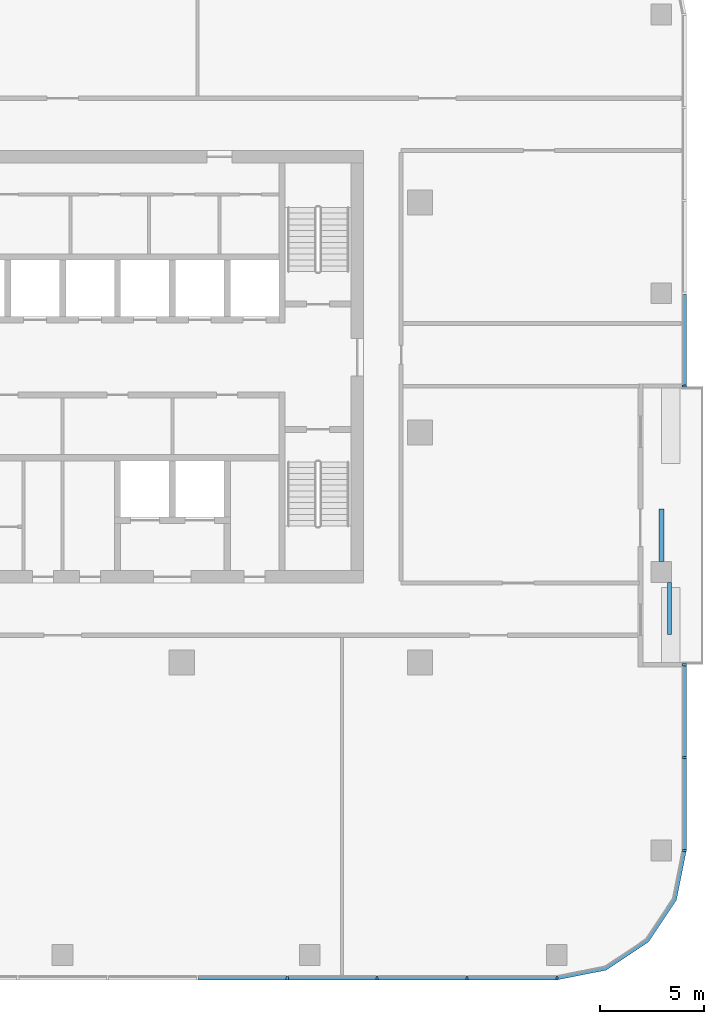
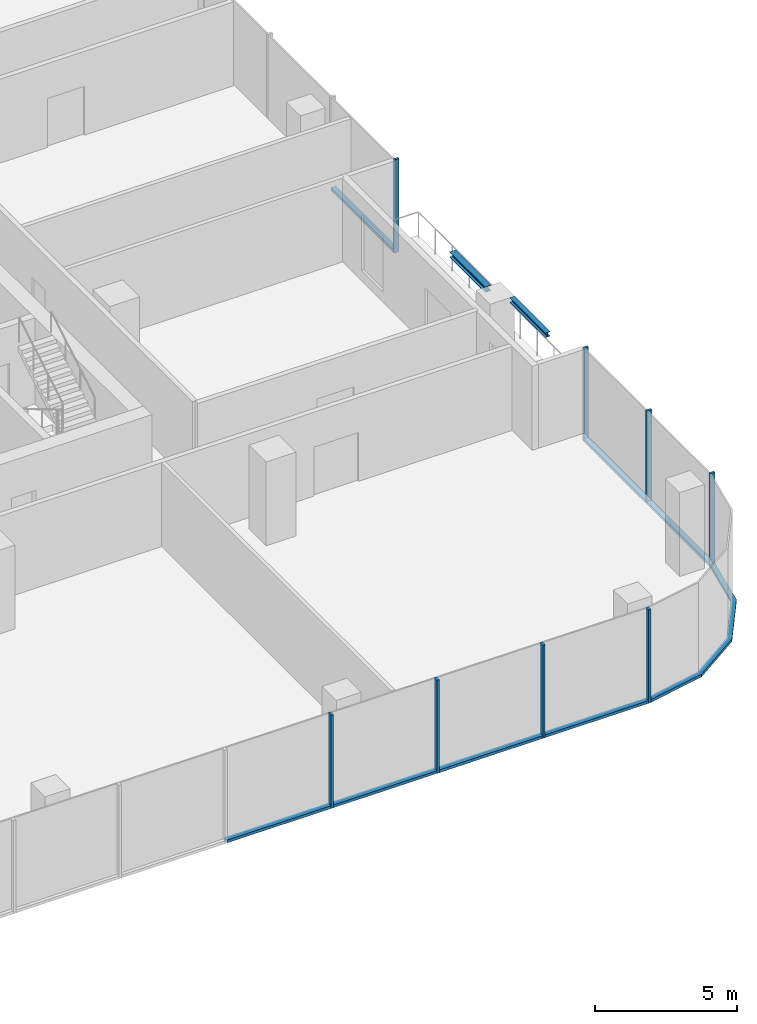
# One storey, part 3 of 13: 16 members, 2 beams, 4 elements without a shape of their own.
"""IFC4 building model written with IfcOpenShell, lengths in metres."""

from ifc_helpers import new_model, si_unit, direction, frame, origin, origin_2d, place, context, subcontext, project, spatial, polyline, rectangle, i_section, outline, extrude, material, material_profile, profile_set, type_object, element, aggregate, save


model = new_model("IFC4")

# Units and contexts
model_context = context("Model", 3, precision=1e-05, world=origin(), true_north=direction((0.0, 1.0)))
body_context = subcontext(model_context, "Body", "Model", "MODEL_VIEW")
ifc_project = project(units=[si_unit("LENGTHUNIT", "METRE"), si_unit("AREAUNIT", "SQUARE_METRE"), si_unit("VOLUMEUNIT", "CUBIC_METRE"), si_unit("PLANEANGLEUNIT", "RADIAN"), si_unit("MASSUNIT", "GRAM", prefix="KILO")], contexts=[model_context])

# Site, building, storey
site_placement = place(None, origin())
site = spatial("IfcSite", under=ifc_project, at=site_placement, CompositionType="ELEMENT")
building_placement = place(site_placement, origin())
building = spatial("IfcBuilding", under=site, at=building_placement, Name="Mopane Tessera Tower", CompositionType="ELEMENT")
storey_placement = place(building_placement, frame((0.0, 0.0, 275.39990234375)))
storey = spatial("IfcBuildingStorey", under=building, at=storey_placement, Name="L59", CompositionType="ELEMENT", Elevation=275.39990234375)

# Curtain wall, members
ifc_material_1 = material(Name="Aluminium frame", Category="aluminium")
curtain_wall_type = type_object("IfcCurtainWallType", Name="Unitised curtain wall", PredefinedType="NOTDEFINED", material=ifc_material_1)
curtain_wall_1_placement = place(storey_placement, origin())
curtain_wall_1 = element("IfcCurtainWall", 1, at=curtain_wall_1_placement, inside=storey, type_object=curtain_wall_type, Name="e:cw:L59:S:0", PredefinedType="NOTDEFINED")
ifc_material_2 = material(Name="Aluminium frame", Category="aluminium")
ifc_material_profile_1 = material_profile(ifc_material_2, rectangle(XDim=0.10009765625, YDim=0.199951171875, at=origin_2d()))
ifc_profile_set_1 = profile_set([ifc_material_profile_1], Name="Aluminium frame")
member_type_1 = type_object("IfcMemberType", Name="Aluminium mullion 100 x 200", PredefinedType="MULLION", material=ifc_profile_set_1)
member_1_placement = place(storey_placement, frame((10.75, -26.10009765625, -0.39990234375), z_axis=(0.0, 0.0, 1.0), x_axis=(1.0, 0.0, 0.0)))
member_1 = element("IfcMember", 2, at=member_1_placement, type_object=member_type_1, Name="e:cw:L59:S:0:mu8", PredefinedType="MULLION", context=body_context, shape_type="SweptSolid", body=[
    extrude(rectangle(XDim=0.10009765625, YDim=0.199951171875, at=origin_2d()), origin(), (0.0, 0.0, 1.0), 4.0),
])
member_2_placement = place(storey_placement, frame((15.050048828125, -26.10009765625, -0.39990234375), z_axis=(0.0, 0.0, 1.0), x_axis=(1.0, 0.0, 0.0)))
member_2 = element("IfcMember", 3, at=member_2_placement, type_object=member_type_1, Name="e:cw:L59:S:0:mu9", PredefinedType="MULLION", context=body_context, shape_type="SweptSolid", body=[
    extrude(rectangle(XDim=0.10009765625, YDim=0.199951171875, at=origin_2d()), origin(), (0.0, 0.0, 1.0), 4.0),
])
member_3_placement = place(storey_placement, frame((19.35009765625, -26.10009765625, -0.39990234375), z_axis=(0.0, 0.0, 1.0), x_axis=(1.0, 0.0, 0.0)))
member_3 = element("IfcMember", 4, at=member_3_placement, type_object=member_type_1, Name="e:cw:L59:S:0:mu10", PredefinedType="MULLION", context=body_context, shape_type="SweptSolid", body=[
    extrude(rectangle(XDim=0.10009765625, YDim=0.199951171875, at=origin_2d()), origin(), (0.0, 0.0, 1.0), 4.0),
])
member_4_placement = place(storey_placement, frame((23.64990234375, -26.10009765625, -0.39990234375), z_axis=(0.0, 0.0, 1.0), x_axis=(1.0, 0.0, 0.0)))
member_4 = element("IfcMember", 5, at=member_4_placement, type_object=member_type_1, Name="e:cw:L59:S:0:mu11", PredefinedType="MULLION", context=body_context, shape_type="SweptSolid", body=[
    extrude(rectangle(XDim=0.10009765625, YDim=0.199951171875, at=origin_2d()), origin(), (0.0, 0.0, 1.0), 4.0),
])

curtain_wall_2_placement = place(storey_placement, origin())
curtain_wall_2 = element("IfcCurtainWall", 6, at=curtain_wall_2_placement, inside=storey, type_object=curtain_wall_type, Name="e:cw:L59:E:0", PredefinedType="NOTDEFINED")
member_5_placement = place(storey_placement, frame((29.75, -20.0, -0.39990234375), z_axis=(0.0, 0.0, 1.0), x_axis=(0.0, 1.0, 0.0)))
member_5 = element("IfcMember", 7, at=member_5_placement, type_object=member_type_1, Name="e:cw:L59:E:0:mu0", PredefinedType="MULLION", context=body_context, shape_type="SweptSolid", body=[
    extrude(rectangle(XDim=0.10009765625, YDim=0.199951171875, at=origin_2d()), origin(), (0.0, 0.0, 1.0), 4.0),
])
member_6_placement = place(storey_placement, frame((29.75, -15.5556640625, -0.39990234375), z_axis=(0.0, 0.0, 1.0), x_axis=(0.0, 1.0, 0.0)))
member_6 = element("IfcMember", 8, at=member_6_placement, type_object=member_type_1, Name="e:cw:L59:E:0:mu1", PredefinedType="MULLION", context=body_context, shape_type="SweptSolid", body=[
    extrude(rectangle(XDim=0.10009765625, YDim=0.199951171875, at=origin_2d()), origin(), (0.0, 0.0, 1.0), 4.0),
])
member_7_placement = place(storey_placement, frame((29.75, -11.111083984375, -0.39990234375), z_axis=(0.0, 0.0, 1.0), x_axis=(0.0, 1.0, 0.0)))
member_7 = element("IfcMember", 9, at=member_7_placement, type_object=member_type_1, Name="e:cw:L59:E:0:mu2", PredefinedType="MULLION", context=body_context, shape_type="SweptSolid", body=[
    extrude(rectangle(XDim=0.10009765625, YDim=0.199951171875, at=origin_2d()), origin(), (0.0, 0.0, 1.0), 4.0),
])

# Curtain wall, member
curtain_wall_3_placement = place(storey_placement, origin())
curtain_wall_3 = element("IfcCurtainWall", 10, at=curtain_wall_3_placement, inside=storey, type_object=curtain_wall_type, Name="e:cw:L59:E:5", PredefinedType="NOTDEFINED")
member_8_placement = place(storey_placement, frame((29.75, 2.22216796875, -0.39990234375), z_axis=(0.0, 0.0, 1.0), x_axis=(0.0, 1.0, 0.0)))
member_8 = element("IfcMember", 11, at=member_8_placement, type_object=member_type_1, Name="e:cw:L59:E:5:mu5", PredefinedType="MULLION", context=body_context, shape_type="SweptSolid", body=[
    extrude(rectangle(XDim=0.10009765625, YDim=0.199951171875, at=origin_2d()), origin(), (0.0, 0.0, 1.0), 4.0),
])

# Member
ifc_material_3 = material(Name="Aluminium frame", Category="aluminium")
ifc_material_profile_2 = material_profile(ifc_material_3, rectangle(XDim=0.199951171875, YDim=0.1201171875, at=origin_2d()))
ifc_profile_set_2 = profile_set([ifc_material_profile_2], Name="Aluminium frame")
member_type_2 = type_object("IfcMemberType", Name="Aluminium transom 200 x 120", PredefinedType="USERDEFINED", material=ifc_profile_set_2)
member_9_placement = place(storey_placement, frame((6.5, -26.10009765625, -0.33984375), z_axis=(1.0, 0.0, 0.0), x_axis=(0.0, 1.0, 0.0)))
member_9 = element("IfcMember", 12, at=member_9_placement, type_object=member_type_2, Name="e:cw:L59:S:0:tr7", ObjectType="TRANSOM", PredefinedType="USERDEFINED", context=body_context, shape_type="SweptSolid", body=[
    extrude(rectangle(XDim=0.199951171875, YDim=0.1201171875, at=origin_2d()), origin(), (0.0, 0.0, 1.0), 4.199951171875),
])

member_10_placement = place(storey_placement, frame((10.800048828125, -26.10009765625, -0.33984375), z_axis=(1.0, 0.0, 0.0), x_axis=(0.0, 1.0, 0.0)))
member_10 = element("IfcMember", 13, at=member_10_placement, type_object=member_type_2, Name="e:cw:L59:S:0:tr8", ObjectType="TRANSOM", PredefinedType="USERDEFINED", context=body_context, shape_type="SweptSolid", body=[
    extrude(rectangle(XDim=0.199951171875, YDim=0.1201171875, at=origin_2d()), origin(), (0.0, 0.0, 1.0), 4.199951171875),
])

member_11_placement = place(storey_placement, frame((15.10009765625, -26.10009765625, -0.33984375), z_axis=(1.0, 0.0, 0.0), x_axis=(0.0, 1.0, 0.0)))
member_11 = element("IfcMember", 14, at=member_11_placement, type_object=member_type_2, Name="e:cw:L59:S:0:tr9", ObjectType="TRANSOM", PredefinedType="USERDEFINED", context=body_context, shape_type="SweptSolid", body=[
    extrude(rectangle(XDim=0.199951171875, YDim=0.1201171875, at=origin_2d()), origin(), (0.0, 0.0, 1.0), 4.199951171875),
])

member_12_placement = place(storey_placement, frame((19.39990234375, -26.10009765625, -0.33984375), z_axis=(1.0, 0.0, 0.0), x_axis=(0.0, 1.0, 0.0)))
member_12 = element("IfcMember", 15, at=member_12_placement, type_object=member_type_2, Name="e:cw:L59:S:0:tr10", ObjectType="TRANSOM", PredefinedType="USERDEFINED", context=body_context, shape_type="SweptSolid", body=[
    extrude(rectangle(XDim=0.199951171875, YDim=0.1201171875, at=origin_2d()), origin(), (0.0, 0.0, 1.0), 4.2001953125),
])

aggregate(curtain_wall_1, [member_1, member_2, member_3, member_4, member_9, member_10, member_11, member_12])

# Curtain wall, member
curtain_wall_4_placement = place(storey_placement, origin())
curtain_wall_4 = element("IfcCurtainWall", 16, at=curtain_wall_4_placement, inside=storey, type_object=curtain_wall_type, Name="e:cw:L59:CS", PredefinedType="NOTDEFINED")
member_13_placement = place(storey_placement, frame((0.0, 0.0, -0.39990234375)))
member_13 = element("IfcMember", 17, at=member_13_placement, type_object=member_type_2, Name="e:cw:L59:CS:tr", ObjectType="TRANSOM", PredefinedType="USERDEFINED", context=body_context, shape_type="SweptSolid", body=[
    extrude(outline(polyline([(23.64990234375, -26.0), (25.946044921875, -25.543212890625), (27.892578125, -24.24267578125), (29.193359375, -22.296142578125), (29.64990234375, -20.0), (29.85009765625, -20.0), (29.378173828125, -22.37255859375), (28.0341796875, -24.384033203125), (26.022705078125, -25.72802734375), (23.64990234375, -26.199951171875), (23.64990234375, -26.0)])), origin(), (0.0, 0.0, 1.0), 0.1201171875),
])
aggregate(curtain_wall_4, [member_13])

# Member
member_14_placement = place(storey_placement, frame((29.75, -19.949951171875, -0.33984375), z_axis=(0.0, 1.0, 0.0), x_axis=(-1.0, 0.0, 0.0)))
member_14 = element("IfcMember", 18, at=member_14_placement, type_object=member_type_2, Name="e:cw:L59:E:0:tr0", ObjectType="TRANSOM", PredefinedType="USERDEFINED", context=body_context, shape_type="SweptSolid", body=[
    extrude(rectangle(XDim=0.199951171875, YDim=0.1201171875, at=origin_2d()), origin(), (0.0, 0.0, 1.0), 4.344482421875),
])

member_15_placement = place(storey_placement, frame((29.75, -15.505615234375, -0.33984375), z_axis=(0.0, 1.0, 0.0), x_axis=(-1.0, 0.0, 0.0)))
member_15 = element("IfcMember", 19, at=member_15_placement, type_object=member_type_2, Name="e:cw:L59:E:0:tr1", ObjectType="TRANSOM", PredefinedType="USERDEFINED", context=body_context, shape_type="SweptSolid", body=[
    extrude(rectangle(XDim=0.199951171875, YDim=0.1201171875, at=origin_2d()), origin(), (0.0, 0.0, 1.0), 4.344482421875),
])

aggregate(curtain_wall_2, [member_5, member_6, member_7, member_14, member_15])

member_16_placement = place(storey_placement, frame((29.75, 2.272216796875, -0.33984375), z_axis=(0.0, 1.0, 0.0), x_axis=(-1.0, 0.0, 0.0)))
member_16 = element("IfcMember", 20, at=member_16_placement, type_object=member_type_2, Name="e:cw:L59:E:5:tr5", ObjectType="TRANSOM", PredefinedType="USERDEFINED", context=body_context, shape_type="SweptSolid", body=[
    extrude(rectangle(XDim=0.199951171875, YDim=0.1201171875, at=origin_2d()), origin(), (0.0, 0.0, 1.0), 4.344482421875),
])

aggregate(curtain_wall_3, [member_8, member_16])

# Beams
ifc_material_4 = material(Name="Structural steel S460", Category="steel")
ifc_material_profile_3 = material_profile(ifc_material_4, i_section(OverallWidth=0.239990234375, OverallDepth=0.239990234375, WebThickness=0.010009765625, FlangeThickness=0.01708984375, FilletRadius=0.02099609375, at=origin_2d()))
ifc_profile_set_3 = profile_set([ifc_material_profile_3], Name="Structural steel S460")
beam_type_1 = type_object("IfcBeamType", Name="Terrace spandrel beam HE 240 B", PredefinedType="SPANDREL", material=ifc_profile_set_3)
beam_1_placement = place(storey_placement, frame((28.64990234375, -6.163818359375, 3.47998046875), z_axis=(0.0, 1.0, 0.0), x_axis=(-1.0, 0.0, 0.0)))
element("IfcBeam", 21, at=beam_1_placement, inside=storey, type_object=beam_type_1, Name="Terrace spandrel beam N1 L60", PredefinedType="SPANDREL", context=body_context, shape_type="SweptSolid", body=[
    extrude(i_section(OverallWidth=0.239990234375, OverallDepth=0.239990234375, WebThickness=0.010009765625, FlangeThickness=0.01708984375, FilletRadius=0.02099609375, at=origin_2d()), origin(), (0.0, 0.0, 1.0), 2.5),
])
ifc_material_5 = material(Name="Structural steel S460", Category="steel")
ifc_material_profile_4 = material_profile(ifc_material_5, i_section(OverallWidth=0.199951171875, OverallDepth=0.199951171875, WebThickness=0.009033203125, FlangeThickness=0.014892578125, FilletRadius=0.01806640625, at=origin_2d()))
ifc_profile_set_4 = profile_set([ifc_material_profile_4], Name="Structural steel S460")
beam_type_2 = type_object("IfcBeamType", Name="Terrace trimmer beam HE 200 B", PredefinedType="BEAM", material=ifc_profile_set_4)
beam_2_placement = place(storey_placement, frame((29.0498046875, -7.169677734375, 3.5), z_axis=(0.0, -1.0, 0.0), x_axis=(1.0, 0.0, 0.0)))
element("IfcBeam", 22, at=beam_2_placement, inside=storey, type_object=beam_type_2, Name="Terrace trimmer beam N1 L60", PredefinedType="BEAM", context=body_context, shape_type="SweptSolid", body=[
    extrude(i_section(OverallWidth=0.199951171875, OverallDepth=0.199951171875, WebThickness=0.009033203125, FlangeThickness=0.014892578125, FilletRadius=0.01806640625, at=origin_2d()), origin(), (0.0, 0.0, 1.0), 2.5),
])

save(model, "model.ifc")
